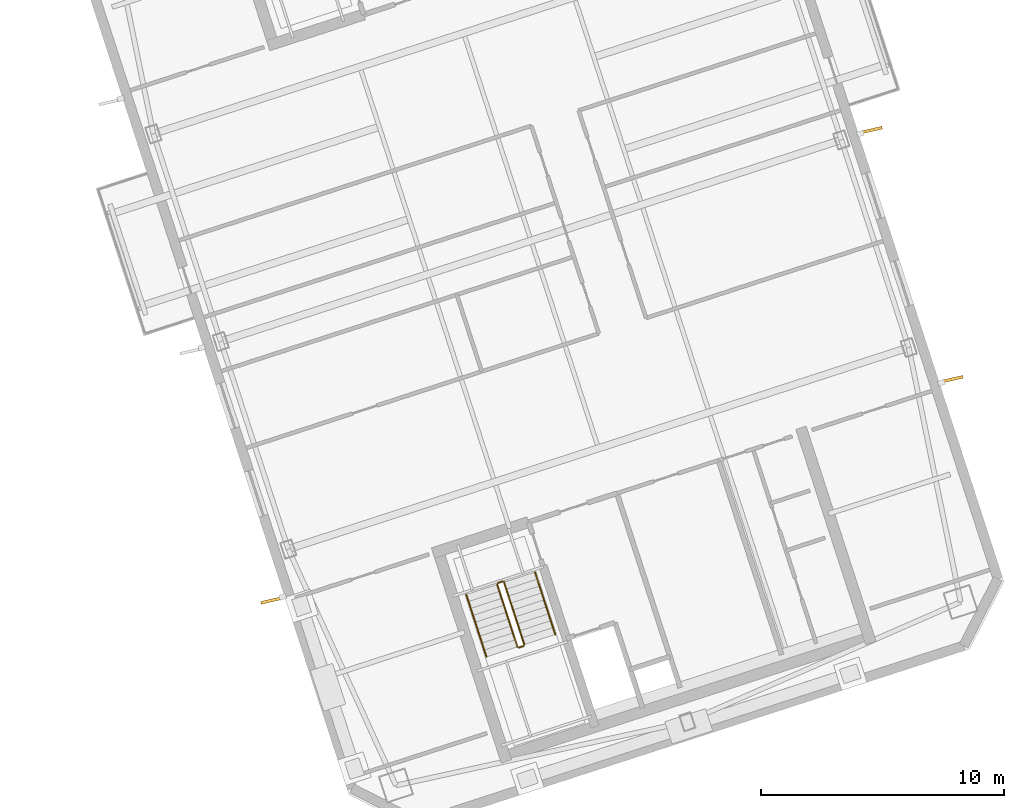
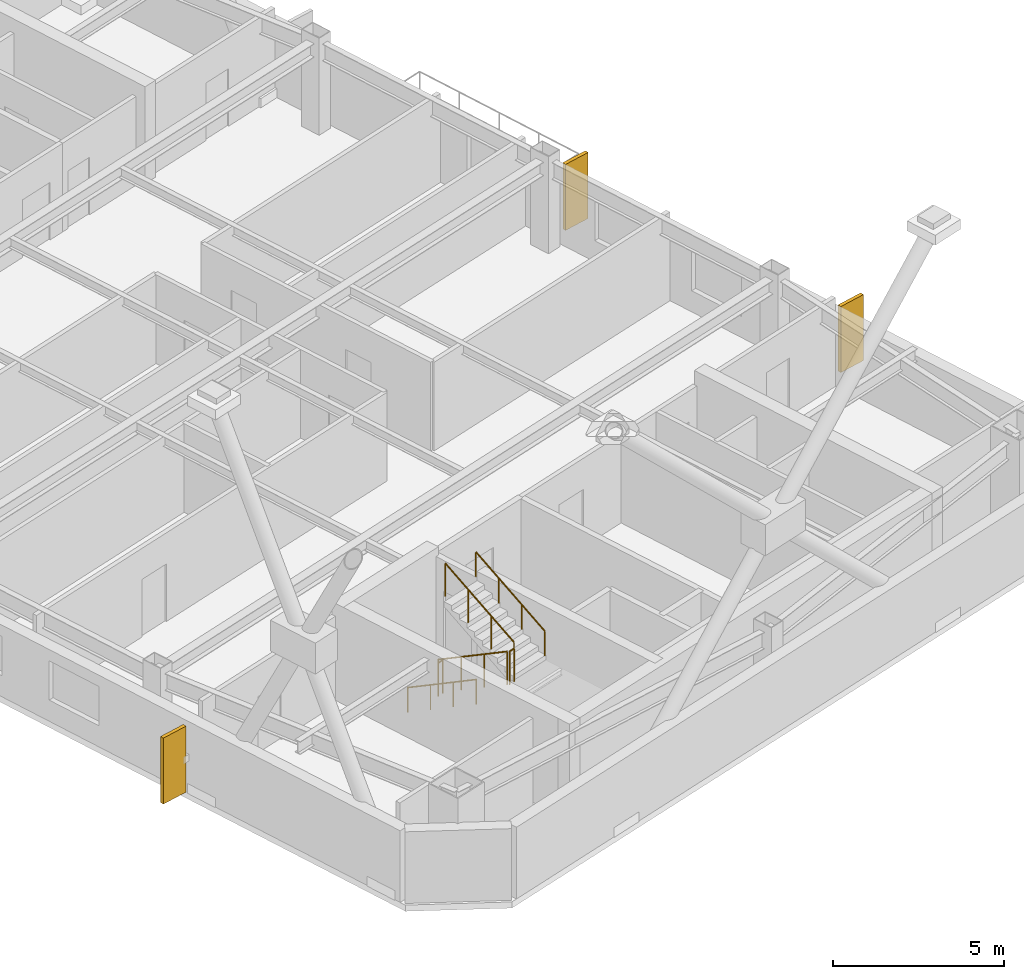
# One storey, part 17 of 18: 6 railings, 3 shading devices.
"""IFC4 building model written with IfcOpenShell, lengths in metres."""

from ifc_helpers import new_model, si_unit, direction, frame, origin, origin_2d, place, context, subcontext, project, spatial, rectangle, circle, extrude, material, layer, layer_set, type_object, element, save


model = new_model("IFC4")

# Units and contexts
model_context = context("Model", 3, precision=1e-05, world=origin(), true_north=direction((0.0, 1.0)))
body_context = subcontext(model_context, "Body", "Model", "MODEL_VIEW")
ifc_project = project(units=[si_unit("LENGTHUNIT", "METRE"), si_unit("AREAUNIT", "SQUARE_METRE"), si_unit("VOLUMEUNIT", "CUBIC_METRE"), si_unit("PLANEANGLEUNIT", "RADIAN"), si_unit("MASSUNIT", "GRAM", prefix="KILO")], contexts=[model_context])

# Site, building, storey
site_placement = place(None, origin())
site = spatial("IfcSite", under=ifc_project, at=site_placement, CompositionType="ELEMENT")
building_placement = place(site_placement, origin())
building = spatial("IfcBuilding", under=site, at=building_placement, Name="Qiaolan Cultural Towers", CompositionType="ELEMENT")
storey_placement = place(building_placement, frame((0.0, 0.0, 226.550048828125)))
storey = spatial("IfcBuildingStorey", under=building, at=storey_placement, Name="L61", CompositionType="ELEMENT", Elevation=226.550048828125)

# Railings
ifc_material_1 = material(Name="Galvanized Painted Steel Stair Guardrail", Category="steel")
railing_type_1 = type_object("IfcRailingType", Name="RL-STAIR-GRD", PredefinedType="GUARDRAIL", material=ifc_material_1)
railing_1_placement = place(storey_placement, frame((88.60205078125, 19.82421875, 0.17236328125)))
element("IfcRailing", 1, at=railing_1_placement, inside=storey, type_object=railing_type_1, Name="L61 ST-E1 stair guard 1", PredefinedType="GUARDRAIL", context=body_context, shape_type="SweptSolid", body=[
    extrude(circle(Radius=0.02392578125, at=origin_2d()), frame((0.0, 0.0, 1.17578125), z_axis=(0.267925668498, -0.824471088726, 0.498460891159), x_axis=(0.951043371037, 0.309057448393, 0.0)), (0.0, 0.0, 1.0), 3.114501953125),
    extrude(circle(Radius=0.02099609375, at=origin_2d()), origin(), (0.0, 0.0, 1.0), 1.15185546875),
    extrude(circle(Radius=0.02099609375, at=origin_2d()), frame((0.278076171875, -0.85595703125, 0.517578125)), (0.0, 0.0, 1.0), 1.15185546875),
    extrude(circle(Radius=0.02099609375, at=origin_2d()), frame((0.556396484375, -1.7119140625, 1.034912109375)), (0.0, 0.0, 1.0), 1.15185546875),
    extrude(circle(Radius=0.02099609375, at=origin_2d()), frame((0.83447265625, -2.56787109375, 1.552490234375)), (0.0, 0.0, 1.0), 1.15185546875),
])
railing_2_placement = place(storey_placement, frame((89.49951171875, 17.224365234375, 1.724853515625)))
element("IfcRailing", 2, at=railing_2_placement, inside=storey, type_object=railing_type_1, Name="L61 ST-E1 stair guard 2", PredefinedType="GUARDRAIL", context=body_context, shape_type="SweptSolid", body=[
    extrude(circle(Radius=0.02392578125, at=origin_2d()), frame((0.0, 0.0, 1.17578125), z_axis=(0.951096855055, 0.308892816854, 0.0), x_axis=(-0.308892816854, 0.951096855055, 0.0)), (0.0, 0.0, 1.0), 0.199951171875),
    extrude(circle(Radius=0.02099609375, at=origin_2d()), origin(), (0.0, 0.0, 1.0), 1.15185546875),
    extrude(circle(Radius=0.02099609375, at=origin_2d()), frame((0.190185546875, 0.061767578125, 0.0)), (0.0, 0.0, 1.0), 1.15185546875),
])
railing_3_placement = place(storey_placement, frame((89.721923828125, 17.34912109375, 1.8974609375)))
element("IfcRailing", 3, at=railing_3_placement, inside=storey, type_object=railing_type_1, Name="L61 ST-E1 stair guard 3", PredefinedType="GUARDRAIL", context=body_context, shape_type="SweptSolid", body=[
    extrude(circle(Radius=0.02392578125, at=origin_2d()), frame((0.0, 0.0, 1.17578125), z_axis=(-0.267925668498, 0.824471088726, 0.498460891159), x_axis=(-0.951043371037, -0.309057448393, 0.0)), (0.0, 0.0, 1.0), 3.114501953125),
    extrude(circle(Radius=0.02099609375, at=origin_2d()), origin(), (0.0, 0.0, 1.0), 1.15185546875),
    extrude(circle(Radius=0.02099609375, at=origin_2d()), frame((-0.278076171875, 0.85595703125, 0.517578125)), (0.0, 0.0, 1.0), 1.15185546875),
    extrude(circle(Radius=0.02099609375, at=origin_2d()), frame((-0.556396484375, 1.7119140625, 1.034912109375)), (0.0, 0.0, 1.0), 1.15185546875),
    extrude(circle(Radius=0.02099609375, at=origin_2d()), frame((-0.83447265625, 2.56787109375, 1.552490234375)), (0.0, 0.0, 1.0), 1.15185546875),
])
railing_4_placement = place(storey_placement, frame((88.63427734375, 19.88720703125, 0.0)))
element("IfcRailing", 4, at=railing_4_placement, inside=storey, type_object=railing_type_1, Name="L61 ST-E1 stair guard 4", PredefinedType="GUARDRAIL", context=body_context, shape_type="SweptSolid", body=[
    extrude(circle(Radius=0.02392578125, at=origin_2d()), frame((0.0, 0.0, 1.17578125), z_axis=(0.951096855055, 0.308892816854, 0.0), x_axis=(-0.308892816854, 0.951096855055, 0.0)), (0.0, 0.0, 1.0), 0.199951171875),
    extrude(circle(Radius=0.02099609375, at=origin_2d()), origin(), (0.0, 0.0, 1.0), 1.15185546875),
    extrude(circle(Radius=0.02099609375, at=origin_2d()), frame((0.190185546875, 0.061767578125, 0.0)), (0.0, 0.0, 1.0), 1.15185546875),
])
ifc_material_2 = material(Name="Stainless Steel S30408 Tubular Handrail", Category="steel")
railing_type_2 = type_object("IfcRailingType", Name="RL-STAIR-HR", PredefinedType="HANDRAIL", material=ifc_material_2)
railing_5_placement = place(storey_placement, frame((87.32763671875, 19.41015625, 0.17236328125)))
element("IfcRailing", 5, at=railing_5_placement, inside=storey, type_object=railing_type_2, Name="L61 ST-E1 stair handrail 1", PredefinedType="HANDRAIL", context=body_context, shape_type="SweptSolid", body=[
    extrude(circle(Radius=0.02392578125, at=origin_2d()), frame((0.0, 0.0, 0.8759765625), z_axis=(0.267925668498, -0.824471088726, 0.498460891159), x_axis=(0.951043371037, 0.309057448393, 0.0)), (0.0, 0.0, 1.0), 3.114501953125),
    extrude(circle(Radius=0.02099609375, at=origin_2d()), origin(), (0.0, 0.0, 1.0), 0.851806640625),
    extrude(circle(Radius=0.02099609375, at=origin_2d()), frame((0.278076171875, -0.85595703125, 0.517578125)), (0.0, 0.0, 1.0), 0.851806640625),
    extrude(circle(Radius=0.02099609375, at=origin_2d()), frame((0.556396484375, -1.7119140625, 1.034912109375)), (0.0, 0.0, 1.0), 0.851806640625),
    extrude(circle(Radius=0.02099609375, at=origin_2d()), frame((0.83447265625, -2.56787109375, 1.552490234375)), (0.0, 0.0, 1.0), 0.851806640625),
])
railing_6_placement = place(storey_placement, frame((90.996337890625, 17.76318359375, 1.8974609375)))
element("IfcRailing", 6, at=railing_6_placement, inside=storey, type_object=railing_type_2, Name="L61 ST-E1 stair handrail 2", PredefinedType="HANDRAIL", context=body_context, shape_type="SweptSolid", body=[
    extrude(circle(Radius=0.02392578125, at=origin_2d()), frame((0.0, 0.0, 0.8759765625), z_axis=(-0.267925668498, 0.824471088726, 0.498460891159), x_axis=(-0.951043371037, -0.309057448393, 0.0)), (0.0, 0.0, 1.0), 3.114501953125),
    extrude(circle(Radius=0.02099609375, at=origin_2d()), origin(), (0.0, 0.0, 1.0), 0.851806640625),
    extrude(circle(Radius=0.02099609375, at=origin_2d()), frame((-0.278076171875, 0.85595703125, 0.517578125)), (0.0, 0.0, 1.0), 0.851806640625),
    extrude(circle(Radius=0.02099609375, at=origin_2d()), frame((-0.556396484375, 1.7119140625, 1.034912109375)), (0.0, 0.0, 1.0), 0.851806640625),
    extrude(circle(Radius=0.02099609375, at=origin_2d()), frame((-0.83447265625, 2.56787109375, 1.552490234375)), (0.0, 0.0, 1.0), 0.851806640625),
])

# Shading devices
ifc_material_3 = material(Name="Light Limestone Precast Vertical Fin", Category="masonry")
ifc_layer = layer(ifc_material_3, 0.1201171875)
ifc_layer_set = layer_set([ifc_layer], Name="Light Limestone Precast Vertical Fin")
shading_device_type = type_object("IfcShadingDeviceType", Name="SHD-FIN-WHITE", PredefinedType="USERDEFINED", material=ifc_layer_set)
for number, where, z_axis, x_axis, name in (
    (7, (79.2998046875, 19.16748046875, 0.099853515625), (0.0, 0.0, 1.0), (0.974879128079, 0.222734563182, 0.0), "L61 T2 Expressive Precast Vertical Fin W1"),
    (8, (107.375, 28.289794921875, 0.099853515625), (0.0, 0.0, 1.0), (0.974879128079, 0.222734563182, 0.0), "L61 T2 Expressive Precast Vertical Fin E1"),
    (9, (104.03759765625, 38.56103515625, 0.099853515625), (0.0, 0.0, 1.0), (0.974879128079, 0.222734563182, 0.0), "L61 T2 Expressive Precast Vertical Fin E2"),
):
    element("IfcShadingDevice", number, at=place(storey_placement, frame(where, z_axis=z_axis, x_axis=x_axis)), inside=storey, type_object=shading_device_type, Name=name, ObjectType="FIN", PredefinedType="USERDEFINED", context=body_context, shape_type="SweptSolid", body=[
        extrude(rectangle(XDim=0.89990234375, YDim=0.1201171875, at=origin_2d()), origin(), (0.0, 0.0, 1.0), 2.35009765625),
    ])

save(model, "model.ifc")
